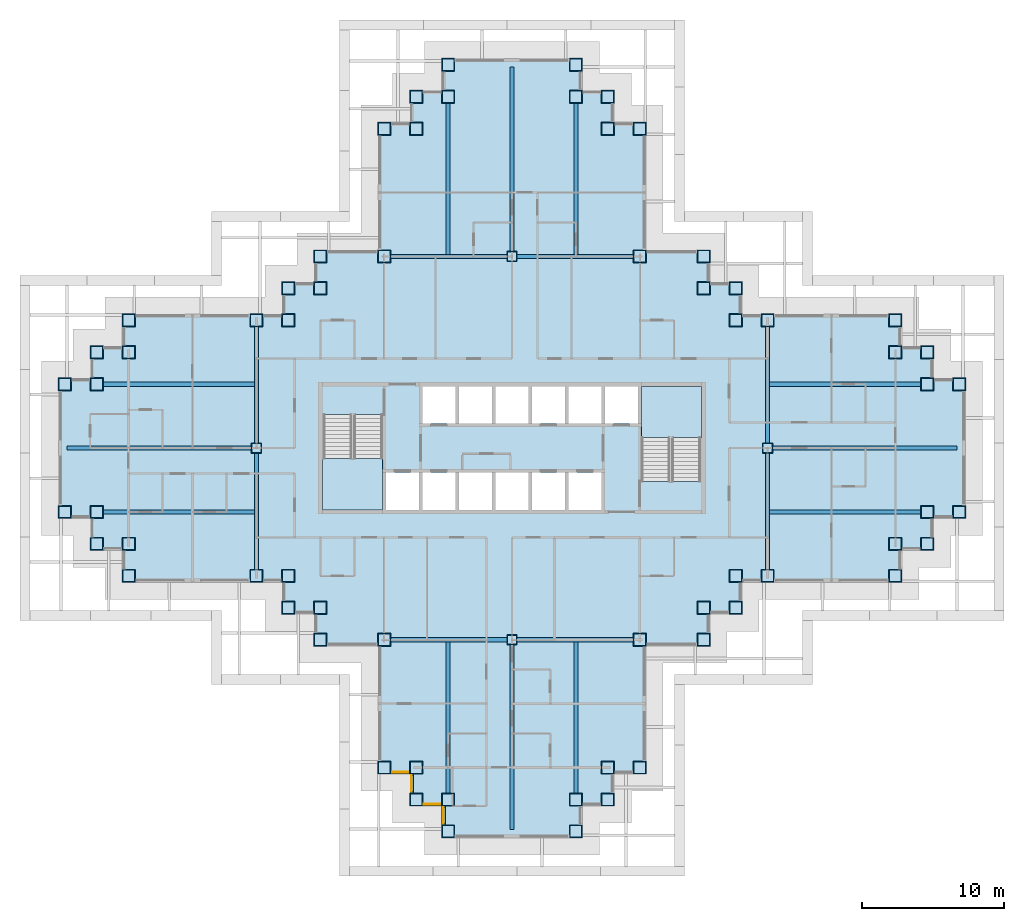
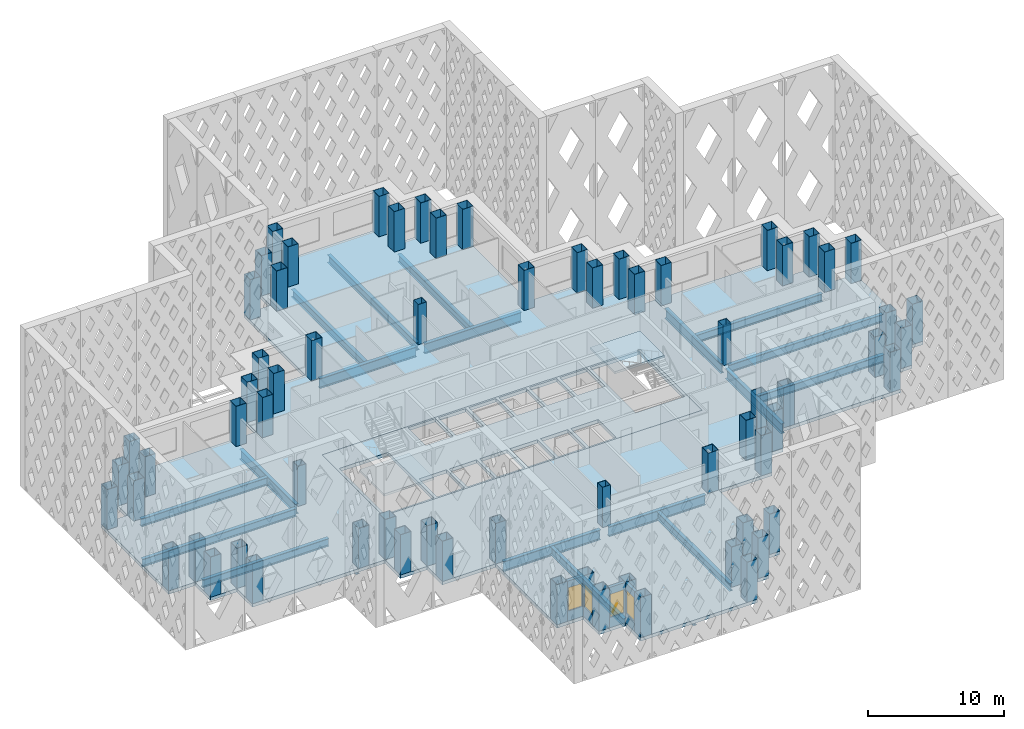
# One storey, part 1 of 21: 68 columns, 20 beams, 4 slabs, 4 walls, 4 windows, 4 openings, 2 elements without a shape of their own.
"""IFC4 building model written with IfcOpenShell, lengths in metres."""

from ifc_helpers import new_model, si_unit, direction, frame, frame_2d, origin, origin_2d, place, context, subcontext, project, spatial, polyline, rectangle, hollow_rectangle, i_section, outline, extrude, material, layer, layer_set, material_profile, profile_set, type_object, element, fill, aggregate, save


model = new_model("IFC4")

# Units and contexts
model_context = context("Model", 3, precision=1e-05, world=origin(), true_north=direction((0.0, 1.0)))
body_context = subcontext(model_context, "Body", "Model", "MODEL_VIEW")
ifc_project = project(units=[si_unit("LENGTHUNIT", "METRE"), si_unit("AREAUNIT", "SQUARE_METRE"), si_unit("VOLUMEUNIT", "CUBIC_METRE"), si_unit("PLANEANGLEUNIT", "RADIAN"), si_unit("MASSUNIT", "GRAM", prefix="KILO")], contexts=[model_context])

# Site, building, storey
site_placement = place(None, origin())
site = spatial("IfcSite", under=ifc_project, at=site_placement, CompositionType="ELEMENT")
building_placement = place(site_placement, origin())
building = spatial("IfcBuilding", under=site, at=building_placement, Name="Caravel Reach Hotel and Residences", CompositionType="ELEMENT")
storey_placement = place(building_placement, frame((0.0, 0.0, 100.800048828125)))
storey = spatial("IfcBuildingStorey", under=building, at=storey_placement, Name="L24", CompositionType="ELEMENT", Elevation=100.800048828125)

# Columns
ifc_material_1 = material(Name="Concrete-filled steel tube Q390B with Concrete C70 infill", Category="concrete")
ifc_material_profile_1 = material_profile(ifc_material_1, hollow_rectangle(XDim=0.699951171875, YDim=0.699951171875, WallThickness=0.02197265625, at=origin_2d()), Name="RHS 700x700x22")
ifc_profile_set_1 = profile_set([ifc_material_profile_1], Name="Concrete-filled steel tube Q390B with Concrete C70 infill")
column_type_1 = type_object("IfcColumnType", Name="CFT 700x700 Q390B C70", PredefinedType="COLUMN", material=ifc_profile_set_1)
for number, where, z_axis, x_axis, name in (
    (1, (31.5, 40.5, 0.0), (0.0, 0.0, 1.0), (1.0, 0.0, 0.0), "C6 column"),
    (2, (31.5, 13.5, 0.0), (0.0, 0.0, 1.0), (1.0, 0.0, 0.0), "C6 column"),
    (3, (13.5, 27.0, 0.0), (0.0, 0.0, 1.0), (1.0, 0.0, 0.0), "C6 column"),
    (4, (49.5, 27.0, 0.0), (0.0, 0.0, 1.0), (1.0, 0.0, 0.0), "C6 column"),
):
    element("IfcColumn", number, at=place(storey_placement, frame(where, z_axis=z_axis, x_axis=x_axis)), inside=storey, type_object=column_type_1, Name=name, PredefinedType="COLUMN", context=body_context, shape_type="SweptSolid", body=[
        extrude(hollow_rectangle(XDim=0.699951171875, YDim=0.699951171875, WallThickness=0.02197265625, at=origin_2d()), origin(), (0.0, 0.0, 1.0), 3.599853515625),
    ])
ifc_material_2 = material(Name="Concrete-filled steel tube Q390B with Concrete C70 infill", Category="concrete")
ifc_material_profile_2 = material_profile(ifc_material_2, hollow_rectangle(XDim=0.89990234375, YDim=0.89990234375, WallThickness=0.028076171875, at=origin_2d()), Name="RHS 900x900x28")
ifc_profile_set_2 = profile_set([ifc_material_profile_2], Name="Concrete-filled steel tube Q390B with Concrete C70 infill")
column_type_2 = type_object("IfcColumnType", Name="CFT 900x900 Q390B C70", PredefinedType="COLUMN", material=ifc_profile_set_2)
for number, where, z_axis, x_axis, name in (
    (5, (22.5, 4.5, 0.0), (0.0, 0.0, 1.0), (1.0, 0.0, 0.0), "C3 column"),
    (6, (24.75, 4.5, 0.0), (0.0, 0.0, 1.0), (1.0, 0.0, 0.0), "C3 column"),
    (7, (24.75, 2.25, 0.0), (0.0, 0.0, 1.0), (1.0, 0.0, 0.0), "C3 column"),
    (8, (27.0, 2.25, 0.0), (0.0, 0.0, 1.0), (1.0, 0.0, 0.0), "C3 column"),
    (9, (27.0, 0.0, 0.0), (0.0, 0.0, 1.0), (1.0, 0.0, 0.0), "C3 column"),
    (10, (36.0, 0.0, 0.0), (0.0, 0.0, 1.0), (1.0, 0.0, 0.0), "C3 column"),
    (11, (36.0, 2.25, 0.0), (0.0, 0.0, 1.0), (1.0, 0.0, 0.0), "C3 column"),
    (12, (38.25, 2.25, 0.0), (0.0, 0.0, 1.0), (1.0, 0.0, 0.0), "C3 column"),
    (13, (38.25, 4.5, 0.0), (0.0, 0.0, 1.0), (1.0, 0.0, 0.0), "C3 column"),
    (14, (40.5, 4.5, 0.0), (0.0, 0.0, 1.0), (1.0, 0.0, 0.0), "C3 column"),
    (15, (40.5, 13.5, 0.0), (0.0, 0.0, 1.0), (1.0, 0.0, 0.0), "C3 column"),
    (16, (45.0, 13.5, 0.0), (0.0, 0.0, 1.0), (1.0, 0.0, 0.0), "C3 column"),
    (17, (45.0, 15.75, 0.0), (0.0, 0.0, 1.0), (1.0, 0.0, 0.0), "C3 column"),
    (18, (47.25, 15.75, 0.0), (0.0, 0.0, 1.0), (1.0, 0.0, 0.0), "C3 column"),
    (19, (47.25, 18.0, 0.0), (0.0, 0.0, 1.0), (1.0, 0.0, 0.0), "C3 column"),
    (20, (49.5, 18.0, 0.0), (0.0, 0.0, 1.0), (1.0, 0.0, 0.0), "C3 column"),
    (21, (58.5, 18.0, 0.0), (0.0, 0.0, 1.0), (1.0, 0.0, 0.0), "C3 column"),
    (22, (58.5, 20.25, 0.0), (0.0, 0.0, 1.0), (1.0, 0.0, 0.0), "C3 column"),
    (23, (60.75, 20.25, 0.0), (0.0, 0.0, 1.0), (1.0, 0.0, 0.0), "C3 column"),
    (24, (60.75, 22.5, 0.0), (0.0, 0.0, 1.0), (1.0, 0.0, 0.0), "C3 column"),
    (25, (63.0, 22.5, 0.0), (0.0, 0.0, 1.0), (1.0, 0.0, 0.0), "C3 column"),
    (26, (63.0, 31.5, 0.0), (0.0, 0.0, 1.0), (1.0, 0.0, 0.0), "C3 column"),
    (27, (60.75, 31.5, 0.0), (0.0, 0.0, 1.0), (1.0, 0.0, 0.0), "C3 column"),
    (28, (60.75, 33.75, 0.0), (0.0, 0.0, 1.0), (1.0, 0.0, 0.0), "C3 column"),
    (29, (58.5, 33.75, 0.0), (0.0, 0.0, 1.0), (1.0, 0.0, 0.0), "C3 column"),
    (30, (58.5, 36.0, 0.0), (0.0, 0.0, 1.0), (1.0, 0.0, 0.0), "C3 column"),
    (31, (49.5, 36.0, 0.0), (0.0, 0.0, 1.0), (1.0, 0.0, 0.0), "C3 column"),
    (32, (47.25, 36.0, 0.0), (0.0, 0.0, 1.0), (1.0, 0.0, 0.0), "C3 column"),
    (33, (47.25, 38.25, 0.0), (0.0, 0.0, 1.0), (1.0, 0.0, 0.0), "C3 column"),
    (34, (45.0, 38.25, 0.0), (0.0, 0.0, 1.0), (1.0, 0.0, 0.0), "C3 column"),
    (35, (45.0, 40.5, 0.0), (0.0, 0.0, 1.0), (1.0, 0.0, 0.0), "C3 column"),
    (36, (40.5, 40.5, 0.0), (0.0, 0.0, 1.0), (1.0, 0.0, 0.0), "C3 column"),
    (37, (40.5, 49.5, 0.0), (0.0, 0.0, 1.0), (1.0, 0.0, 0.0), "C3 column"),
    (38, (38.25, 49.5, 0.0), (0.0, 0.0, 1.0), (1.0, 0.0, 0.0), "C3 column"),
    (39, (38.25, 51.75, 0.0), (0.0, 0.0, 1.0), (1.0, 0.0, 0.0), "C3 column"),
    (40, (36.0, 51.75, 0.0), (0.0, 0.0, 1.0), (1.0, 0.0, 0.0), "C3 column"),
    (41, (36.0, 54.0, 0.0), (0.0, 0.0, 1.0), (1.0, 0.0, 0.0), "C3 column"),
    (42, (27.0, 54.0, 0.0), (0.0, 0.0, 1.0), (1.0, 0.0, 0.0), "C3 column"),
    (43, (27.0, 51.75, 0.0), (0.0, 0.0, 1.0), (1.0, 0.0, 0.0), "C3 column"),
    (44, (24.75, 51.75, 0.0), (0.0, 0.0, 1.0), (1.0, 0.0, 0.0), "C3 column"),
    (45, (24.75, 49.5, 0.0), (0.0, 0.0, 1.0), (1.0, 0.0, 0.0), "C3 column"),
    (46, (22.5, 49.5, 0.0), (0.0, 0.0, 1.0), (1.0, 0.0, 0.0), "C3 column"),
    (47, (22.5, 40.5, 0.0), (0.0, 0.0, 1.0), (1.0, 0.0, 0.0), "C3 column"),
    (48, (18.0, 40.5, 0.0), (0.0, 0.0, 1.0), (1.0, 0.0, 0.0), "C3 column"),
    (49, (18.0, 38.25, 0.0), (0.0, 0.0, 1.0), (1.0, 0.0, 0.0), "C3 column"),
    (50, (15.75, 38.25, 0.0), (0.0, 0.0, 1.0), (1.0, 0.0, 0.0), "C3 column"),
    (51, (15.75, 36.0, 0.0), (0.0, 0.0, 1.0), (1.0, 0.0, 0.0), "C3 column"),
    (52, (13.5, 36.0, 0.0), (0.0, 0.0, 1.0), (1.0, 0.0, 0.0), "C3 column"),
    (53, (4.5, 36.0, 0.0), (0.0, 0.0, 1.0), (1.0, 0.0, 0.0), "C3 column"),
    (54, (4.5, 33.75, 0.0), (0.0, 0.0, 1.0), (1.0, 0.0, 0.0), "C3 column"),
    (55, (2.25, 33.75, 0.0), (0.0, 0.0, 1.0), (1.0, 0.0, 0.0), "C3 column"),
    (56, (2.25, 31.5, 0.0), (0.0, 0.0, 1.0), (1.0, 0.0, 0.0), "C3 column"),
    (57, (0.0, 31.5, 0.0), (0.0, 0.0, 1.0), (1.0, 0.0, 0.0), "C3 column"),
    (58, (0.0, 22.5, 0.0), (0.0, 0.0, 1.0), (1.0, 0.0, 0.0), "C3 column"),
    (59, (2.25, 22.5, 0.0), (0.0, 0.0, 1.0), (1.0, 0.0, 0.0), "C3 column"),
    (60, (2.25, 20.25, 0.0), (0.0, 0.0, 1.0), (1.0, 0.0, 0.0), "C3 column"),
    (61, (4.5, 20.25, 0.0), (0.0, 0.0, 1.0), (1.0, 0.0, 0.0), "C3 column"),
    (62, (4.5, 18.0, 0.0), (0.0, 0.0, 1.0), (1.0, 0.0, 0.0), "C3 column"),
    (63, (13.5, 18.0, 0.0), (0.0, 0.0, 1.0), (1.0, 0.0, 0.0), "C3 column"),
    (64, (15.75, 18.0, 0.0), (0.0, 0.0, 1.0), (1.0, 0.0, 0.0), "C3 column"),
    (65, (15.75, 15.75, 0.0), (0.0, 0.0, 1.0), (1.0, 0.0, 0.0), "C3 column"),
    (66, (18.0, 15.75, 0.0), (0.0, 0.0, 1.0), (1.0, 0.0, 0.0), "C3 column"),
    (67, (18.0, 13.5, 0.0), (0.0, 0.0, 1.0), (1.0, 0.0, 0.0), "C3 column"),
    (68, (22.5, 13.5, 0.0), (0.0, 0.0, 1.0), (1.0, 0.0, 0.0), "C3 column"),
):
    element("IfcColumn", number, at=place(storey_placement, frame(where, z_axis=z_axis, x_axis=x_axis)), inside=storey, type_object=column_type_2, Name=name, PredefinedType="COLUMN", context=body_context, shape_type="SweptSolid", body=[
        extrude(hollow_rectangle(XDim=0.89990234375, YDim=0.89990234375, WallThickness=0.028076171875, at=origin_2d()), origin(), (0.0, 0.0, 1.0), 3.599853515625),
    ])

# Beams
ifc_material_3 = material(Name="Structural steel Q355B", Category="steel")
ifc_material_profile_3 = material_profile(ifc_material_3, i_section(OverallWidth=0.300048828125, OverallDepth=0.699951171875, WebThickness=0.012939453125, FlangeThickness=0.02392578125, FilletRadius=0.01806640625, at=origin_2d()), Name="HN 700x300x13x24")
ifc_profile_set_3 = profile_set([ifc_material_profile_3], Name="Structural steel Q355B")
beam_type_1 = type_object("IfcBeamType", Name="Beam HN 700x300x13x24", PredefinedType="BEAM", material=ifc_profile_set_3)
beam_1_placement = place(storey_placement, frame((27.0, 40.64990234375, -0.650146484375), z_axis=(0.0, 1.0, 0.0), x_axis=(-1.0, 0.0, 0.0)))
element("IfcBeam", 69, at=beam_1_placement, inside=storey, type_object=beam_type_1, Name="B2 HN 700x300x13x24", PredefinedType="BEAM", context=body_context, shape_type="SweptSolid", body=[
    extrude(i_section(OverallWidth=0.300048828125, OverallDepth=0.699951171875, WebThickness=0.012939453125, FlangeThickness=0.02392578125, FilletRadius=0.01806640625, at=origin_2d()), origin(), (0.0, 0.0, 1.0), 10.7001953125),
])
beam_2_placement = place(storey_placement, frame((31.5, 40.800048828125, -0.650146484375), z_axis=(0.0, 1.0, 0.0), x_axis=(-1.0, 0.0, 0.0)))
element("IfcBeam", 70, at=beam_2_placement, inside=storey, type_object=beam_type_1, Name="B2 HN 700x300x13x24", PredefinedType="BEAM", context=body_context, shape_type="SweptSolid", body=[
    extrude(i_section(OverallWidth=0.300048828125, OverallDepth=0.699951171875, WebThickness=0.012939453125, FlangeThickness=0.02392578125, FilletRadius=0.01806640625, at=origin_2d()), origin(), (0.0, 0.0, 1.0), 13.050048828125),
])
for number, where, z_axis, x_axis, name in (
    (71, (36.0, 40.64990234375, -0.650146484375), (0.0, 1.0, 0.0), (-1.0, 0.0, 0.0), "B2 HN 700x300x13x24"),
    (72, (27.0, 13.35009765625, -0.650146484375), (0.0, -1.0, 0.0), (1.0, 0.0, 0.0), "B2 HN 700x300x13x24"),
):
    element("IfcBeam", number, at=place(storey_placement, frame(where, z_axis=z_axis, x_axis=x_axis)), inside=storey, type_object=beam_type_1, Name=name, PredefinedType="BEAM", context=body_context, shape_type="SweptSolid", body=[
        extrude(i_section(OverallWidth=0.300048828125, OverallDepth=0.699951171875, WebThickness=0.012939453125, FlangeThickness=0.02392578125, FilletRadius=0.01806640625, at=origin_2d()), origin(), (0.0, 0.0, 1.0), 10.7001953125),
    ])
beam_3_placement = place(storey_placement, frame((31.5, 13.199951171875, -0.650146484375), z_axis=(0.0, -1.0, 0.0), x_axis=(1.0, 0.0, 0.0)))
element("IfcBeam", 73, at=beam_3_placement, inside=storey, type_object=beam_type_1, Name="B2 HN 700x300x13x24", PredefinedType="BEAM", context=body_context, shape_type="SweptSolid", body=[
    extrude(i_section(OverallWidth=0.300048828125, OverallDepth=0.699951171875, WebThickness=0.012939453125, FlangeThickness=0.02392578125, FilletRadius=0.01806640625, at=origin_2d()), origin(), (0.0, 0.0, 1.0), 13.050048828125),
])
for number, where, z_axis, x_axis, name in (
    (74, (36.0, 13.35009765625, -0.650146484375), (0.0, -1.0, 0.0), (1.0, 0.0, 0.0), "B2 HN 700x300x13x24"),
    (75, (49.64990234375, 22.5, -0.650146484375), (1.0, 0.0, 0.0), (0.0, 1.0, 0.0), "B2 HN 700x300x13x24"),
):
    element("IfcBeam", number, at=place(storey_placement, frame(where, z_axis=z_axis, x_axis=x_axis)), inside=storey, type_object=beam_type_1, Name=name, PredefinedType="BEAM", context=body_context, shape_type="SweptSolid", body=[
        extrude(i_section(OverallWidth=0.300048828125, OverallDepth=0.699951171875, WebThickness=0.012939453125, FlangeThickness=0.02392578125, FilletRadius=0.01806640625, at=origin_2d()), origin(), (0.0, 0.0, 1.0), 10.7001953125),
    ])
beam_4_placement = place(storey_placement, frame((49.800048828125, 27.0, -0.650146484375), z_axis=(1.0, 0.0, 0.0), x_axis=(0.0, 1.0, 0.0)))
element("IfcBeam", 76, at=beam_4_placement, inside=storey, type_object=beam_type_1, Name="B2 HN 700x300x13x24", PredefinedType="BEAM", context=body_context, shape_type="SweptSolid", body=[
    extrude(i_section(OverallWidth=0.300048828125, OverallDepth=0.699951171875, WebThickness=0.012939453125, FlangeThickness=0.02392578125, FilletRadius=0.01806640625, at=origin_2d()), origin(), (0.0, 0.0, 1.0), 13.050048828125),
])
for number, where, z_axis, x_axis, name in (
    (77, (49.64990234375, 31.5, -0.650146484375), (1.0, 0.0, 0.0), (0.0, 1.0, 0.0), "B2 HN 700x300x13x24"),
    (78, (13.35009765625, 22.5, -0.650146484375), (-1.0, 0.0, 0.0), (0.0, -1.0, 0.0), "B2 HN 700x300x13x24"),
):
    element("IfcBeam", number, at=place(storey_placement, frame(where, z_axis=z_axis, x_axis=x_axis)), inside=storey, type_object=beam_type_1, Name=name, PredefinedType="BEAM", context=body_context, shape_type="SweptSolid", body=[
        extrude(i_section(OverallWidth=0.300048828125, OverallDepth=0.699951171875, WebThickness=0.012939453125, FlangeThickness=0.02392578125, FilletRadius=0.01806640625, at=origin_2d()), origin(), (0.0, 0.0, 1.0), 10.7001953125),
    ])
beam_5_placement = place(storey_placement, frame((13.199951171875, 27.0, -0.650146484375), z_axis=(-1.0, 0.0, 0.0), x_axis=(0.0, -1.0, 0.0)))
element("IfcBeam", 79, at=beam_5_placement, inside=storey, type_object=beam_type_1, Name="B2 HN 700x300x13x24", PredefinedType="BEAM", context=body_context, shape_type="SweptSolid", body=[
    extrude(i_section(OverallWidth=0.300048828125, OverallDepth=0.699951171875, WebThickness=0.012939453125, FlangeThickness=0.02392578125, FilletRadius=0.01806640625, at=origin_2d()), origin(), (0.0, 0.0, 1.0), 13.050048828125),
])
beam_6_placement = place(storey_placement, frame((13.35009765625, 31.5, -0.650146484375), z_axis=(-1.0, 0.0, 0.0), x_axis=(0.0, -1.0, 0.0)))
element("IfcBeam", 80, at=beam_6_placement, inside=storey, type_object=beam_type_1, Name="B2 HN 700x300x13x24", PredefinedType="BEAM", context=body_context, shape_type="SweptSolid", body=[
    extrude(i_section(OverallWidth=0.300048828125, OverallDepth=0.699951171875, WebThickness=0.012939453125, FlangeThickness=0.02392578125, FilletRadius=0.01806640625, at=origin_2d()), origin(), (0.0, 0.0, 1.0), 10.7001953125),
])
ifc_material_4 = material(Name="Structural steel Q355B", Category="steel")
ifc_material_profile_4 = material_profile(ifc_material_4, i_section(OverallWidth=0.300048828125, OverallDepth=0.89990234375, WebThickness=0.01611328125, FlangeThickness=0.028076171875, FilletRadius=0.01806640625, at=origin_2d()), Name="HN 900x300x16x28")
ifc_profile_set_4 = profile_set([ifc_material_profile_4], Name="Structural steel Q355B")
beam_type_2 = type_object("IfcBeamType", Name="Beam HN 900x300x16x28", PredefinedType="BEAM", material=ifc_profile_set_4)
for number, where, z_axis, x_axis, name in (
    (81, (22.949951171875, 40.5, -0.75), (1.0, 0.0, 0.0), (0.0, 1.0, 0.0), "B3 HN 900x300x16x28"),
    (82, (31.85009765625, 40.5, -0.75), (1.0, 0.0, 0.0), (0.0, 1.0, 0.0), "B3 HN 900x300x16x28"),
    (83, (22.949951171875, 13.5, -0.75), (1.0, 0.0, 0.0), (0.0, 1.0, 0.0), "B3 HN 900x300x16x28"),
    (84, (31.85009765625, 13.5, -0.75), (1.0, 0.0, 0.0), (0.0, 1.0, 0.0), "B3 HN 900x300x16x28"),
    (85, (13.5, 18.449951171875, -0.75), (0.0, 1.0, 0.0), (-1.0, 0.0, 0.0), "B3 HN 900x300x16x28"),
    (86, (13.5, 27.35009765625, -0.75), (0.0, 1.0, 0.0), (-1.0, 0.0, 0.0), "B3 HN 900x300x16x28"),
    (87, (49.5, 18.449951171875, -0.75), (0.0, 1.0, 0.0), (-1.0, 0.0, 0.0), "B3 HN 900x300x16x28"),
    (88, (49.5, 27.35009765625, -0.75), (0.0, 1.0, 0.0), (-1.0, 0.0, 0.0), "B3 HN 900x300x16x28"),
):
    element("IfcBeam", number, at=place(storey_placement, frame(where, z_axis=z_axis, x_axis=x_axis)), inside=storey, type_object=beam_type_2, Name=name, PredefinedType="BEAM", context=body_context, shape_type="SweptSolid", body=[
        extrude(i_section(OverallWidth=0.300048828125, OverallDepth=0.89990234375, WebThickness=0.01611328125, FlangeThickness=0.028076171875, FilletRadius=0.01806640625, at=origin_2d()), origin(), (0.0, 0.0, 1.0), 8.199951171875),
    ])

# Slab
ifc_material_5 = material(Name="Concrete C40", Category="concrete")
ifc_layer_1 = layer(ifc_material_5, 0.300048828125)
ifc_layer_set_1 = layer_set([ifc_layer_1], Name="Core floor slab 300 mm")
slab_type_1 = type_object("IfcSlabType", Name="Core floor slab 300 mm", PredefinedType="FLOOR", material=ifc_layer_set_1)
slab_1_placement = place(storey_placement, frame((0.0, 0.0, -0.300048828125)))
element("IfcSlab", 89, at=slab_1_placement, inside=storey, type_object=slab_type_1, Name="L24 core floor", PredefinedType="FLOOR", context=body_context, shape_type="SweptSolid", body=[
    extrude(outline(polyline([(18.0, 31.5), (45.0, 31.5), (45.0, 22.5), (18.0, 22.5), (18.0, 31.5)]), holes=[polyline([(22.625, 25.27490234375), (22.625, 22.64990234375), (24.9462890625, 22.64990234375), (24.9462890625, 25.27490234375), (22.625, 25.27490234375)]), polyline([(27.517822265625, 25.27490234375), (25.1962890625, 25.27490234375), (25.1962890625, 22.64990234375), (27.517822265625, 22.64990234375), (27.517822265625, 25.27490234375)]), polyline([(30.08935546875, 25.27490234375), (27.767822265625, 25.27490234375), (27.767822265625, 22.64990234375), (30.08935546875, 22.64990234375), (30.08935546875, 25.27490234375)]), polyline([(32.66064453125, 25.27490234375), (30.33935546875, 25.27490234375), (30.33935546875, 22.64990234375), (32.66064453125, 22.64990234375), (32.66064453125, 25.27490234375)]), polyline([(18.22509765625, 22.64990234375), (22.375, 22.64990234375), (22.375, 29.35009765625), (18.22509765625, 29.35009765625), (18.22509765625, 22.64990234375)]), polyline([(27.517822265625, 31.35009765625), (25.1962890625, 31.35009765625), (25.1962890625, 28.72509765625), (27.517822265625, 28.72509765625), (27.517822265625, 31.35009765625)]), polyline([(30.08935546875, 31.35009765625), (27.767822265625, 31.35009765625), (27.767822265625, 28.72509765625), (30.08935546875, 28.72509765625), (30.08935546875, 31.35009765625)]), polyline([(32.91064453125, 25.27490234375), (32.91064453125, 22.64990234375), (35.232177734375, 22.64990234375), (35.232177734375, 25.27490234375), (32.91064453125, 25.27490234375)]), polyline([(37.8037109375, 25.27490234375), (35.482177734375, 25.27490234375), (35.482177734375, 22.64990234375), (37.8037109375, 22.64990234375), (37.8037109375, 25.27490234375)]), polyline([(44.77490234375, 31.35009765625), (40.625, 31.35009765625), (40.625, 24.64990234375), (44.77490234375, 24.64990234375), (44.77490234375, 31.35009765625)]), polyline([(32.66064453125, 31.35009765625), (30.33935546875, 31.35009765625), (30.33935546875, 28.72509765625), (32.66064453125, 28.72509765625), (32.66064453125, 31.35009765625)]), polyline([(35.232177734375, 31.35009765625), (32.91064453125, 31.35009765625), (32.91064453125, 28.72509765625), (35.232177734375, 28.72509765625), (35.232177734375, 31.35009765625)]), polyline([(37.8037109375, 31.35009765625), (35.482177734375, 31.35009765625), (35.482177734375, 28.72509765625), (37.8037109375, 28.72509765625), (37.8037109375, 31.35009765625)]), polyline([(40.375, 31.35009765625), (38.0537109375, 31.35009765625), (38.0537109375, 28.72509765625), (40.375, 28.72509765625), (40.375, 31.35009765625)])]), origin(), (0.0, 0.0, 1.0), 0.300048828125),
])

# Stair, slab
ifc_material_6 = material(Name="Concrete C40", Category="concrete")
stair_type = type_object("IfcStairType", Name="Core stair", PredefinedType="HALF_TURN_STAIR", material=ifc_material_6)
stair_1_placement = place(storey_placement, origin())
stair_1 = element("IfcStair", 90, at=stair_1_placement, inside=storey, type_object=stair_type, Name="L24 Exit stair A", PredefinedType="HALF_TURN_STAIR")
ifc_material_7 = material(Name="Concrete C40", Category="concrete")
ifc_layer_2 = layer(ifc_material_7, 0.199951171875)
ifc_layer_set_2 = layer_set([ifc_layer_2], Name="Core stair landing")
slab_type_2 = type_object("IfcSlabType", Name="Core stair landing", PredefinedType="LANDING", material=ifc_layer_set_2)
slab_2_placement = place(storey_placement, frame((0.0, 0.0, 1.599853515625)))
slab_2 = element("IfcSlab", 91, at=slab_2_placement, type_object=slab_type_2, Name="ST-A landing 1", PredefinedType="LANDING", context=body_context, shape_type="SweptSolid", body=[
    extrude(outline(polyline([(18.14990234375, 26.27001953125), (18.14990234375, 22.64990234375), (22.375, 22.64990234375), (22.375, 26.27001953125), (18.14990234375, 26.27001953125)])), origin(), (0.0, 0.0, 1.0), 0.2001953125),
])
aggregate(stair_1, [slab_2])

stair_2_placement = place(storey_placement, origin())
stair_2 = element("IfcStair", 92, at=stair_2_placement, inside=storey, type_object=stair_type, Name="L24 Exit stair B", PredefinedType="HALF_TURN_STAIR")
slab_3_placement = place(storey_placement, frame((0.0, 0.0, 1.599853515625)))
slab_3 = element("IfcSlab", 93, at=slab_3_placement, type_object=slab_type_2, Name="ST-B landing 1", PredefinedType="LANDING", context=body_context, shape_type="SweptSolid", body=[
    extrude(outline(polyline([(44.85009765625, 27.72998046875), (44.85009765625, 31.35009765625), (40.625, 31.35009765625), (40.625, 27.72998046875), (44.85009765625, 27.72998046875)])), origin(), (0.0, 0.0, 1.0), 0.2001953125),
])
aggregate(stair_2, [slab_3])

# Slab
ifc_material_8 = material(Name="Concrete C40 post-tensioned", Category="concrete")
ifc_layer_3 = layer(ifc_material_8, 0.300048828125)
ifc_layer_set_3 = layer_set([ifc_layer_3], Name="Floor slab 300")
slab_type_3 = type_object("IfcSlabType", Name="Floor slab 300", PredefinedType="FLOOR", material=ifc_layer_set_3)
slab_4_placement = place(storey_placement, frame((0.0, 0.0, -0.300048828125)))
element("IfcSlab", 94, at=slab_4_placement, inside=storey, type_object=slab_type_3, Name="S2 slab L24", PredefinedType="FLOOR", context=body_context, shape_type="SweptSolid", body=[
    extrude(outline(polyline([(17.550048828125, 13.050048828125), (17.550048828125, 15.300048828125), (15.300048828125, 15.300048828125), (15.300048828125, 17.550048828125), (4.050048828125, 17.550048828125), (4.050048828125, 19.800048828125), (1.800048828125, 19.800048828125), (1.800048828125, 22.050048828125), (-0.449951171875, 22.050048828125), (-0.449951171875, 31.949951171875), (1.800048828125, 31.949951171875), (1.800048828125, 34.199951171875), (4.050048828125, 34.199951171875), (4.050048828125, 36.449951171875), (15.300048828125, 36.449951171875), (15.300048828125, 38.699951171875), (17.550048828125, 38.699951171875), (17.550048828125, 40.949951171875), (22.050048828125, 40.949951171875), (22.050048828125, 49.949951171875), (24.300048828125, 49.949951171875), (24.300048828125, 52.199951171875), (26.550048828125, 52.199951171875), (26.550048828125, 54.449951171875), (36.449951171875, 54.449951171875), (36.449951171875, 52.199951171875), (38.699951171875, 52.199951171875), (38.699951171875, 49.949951171875), (40.949951171875, 49.949951171875), (40.949951171875, 40.949951171875), (45.449951171875, 40.949951171875), (45.449951171875, 38.699951171875), (47.699951171875, 38.699951171875), (47.699951171875, 36.449951171875), (58.949951171875, 36.449951171875), (58.949951171875, 34.199951171875), (61.199951171875, 34.199951171875), (61.199951171875, 31.949951171875), (63.449951171875, 31.949951171875), (63.449951171875, 22.050048828125), (61.199951171875, 22.050048828125), (61.199951171875, 19.800048828125), (58.949951171875, 19.800048828125), (58.949951171875, 17.550048828125), (47.699951171875, 17.550048828125), (47.699951171875, 15.300048828125), (45.449951171875, 15.300048828125), (45.449951171875, 13.050048828125), (40.949951171875, 13.050048828125), (40.949951171875, 4.050048828125), (38.699951171875, 4.050048828125), (38.699951171875, 1.800048828125), (36.449951171875, 1.800048828125), (36.449951171875, -0.449951171875), (26.550048828125, -0.449951171875), (26.550048828125, 1.800048828125), (24.300048828125, 1.800048828125), (24.300048828125, 4.050048828125), (22.050048828125, 4.050048828125), (22.050048828125, 13.050048828125), (17.550048828125, 13.050048828125)]), holes=[polyline([(45.0, 31.5), (18.0, 31.5), (18.0, 22.5), (45.0, 22.5), (45.0, 31.5)])]), origin(), (0.0, 0.0, 1.0), 0.300048828125),
])

# Wall, opening, window
ifc_material_9 = material(Name="Insulated rainscreen wall, aluminium cladding", Category="aluminium")
ifc_layer_4 = layer(ifc_material_9, 0.25)
ifc_layer_set_4 = layer_set([ifc_layer_4], Name="EW1 Tower rainscreen wall")
wall_type = type_object("IfcWallType", Name="EW1 Tower rainscreen wall", PredefinedType="SOLIDWALL", material=ifc_layer_set_4)
wall_1_placement = place(storey_placement, frame((22.949951171875, 4.175048828125, 0.0), z_axis=(0.0, 0.0, 1.0), x_axis=(1.0, 0.0, 0.0)))
wall_1 = element("IfcWall", 95, at=wall_1_placement, inside=storey, type_object=wall_type, Name="External wall L24 S1.1", PredefinedType="SOLIDWALL", context=body_context, shape_type="SweptSolid", body=[
    extrude(rectangle(XDim=1.35009765625, YDim=0.25, at=frame_2d((0.675048828125, 0.0))), origin(), (0.0, 0.0, 1.0), 3.599853515625),
])
opening_1_placement = place(wall_1_placement, frame((0.10009765625, 0.0, 0.89990234375)))
opening_1 = element("IfcOpeningElement", 96, at=opening_1_placement, cuts=wall_1, Name="Opening WN8", PredefinedType="OPENING", context=body_context, shape_type="SweptSolid", body=[
    extrude(rectangle(XDim=1.14990234375, YDim=2.080078125, at=frame_2d((0.574951171875, 1.0400390625))), frame((0.0, 0.135009765625, 0.0), z_axis=(0.0, -1.0, 0.0), x_axis=(1.0, 0.0, 0.0)), (0.0, 0.0, 1.0), 0.27001953125),
])
ifc_material_10 = material(Name="Dark low-e glazing in black aluminium frame", Category="aluminium")
window_type = type_object("IfcWindowType", Name="Hotel suite corner window 1150 x 2080", PartitioningType="SINGLE_PANEL", PredefinedType="WINDOW", material=ifc_material_10)
window_1_placement = place(opening_1_placement, origin())
window_1 = element("IfcWindow", 97, at=window_1_placement, inside=storey, type_object=window_type, Name="Window L24 S1.1.1", OverallHeight=2.080078125, OverallWidth=1.14990234375, PartitioningType="SINGLE_PANEL", PredefinedType="WINDOW", context=body_context, shape_type="SweptSolid", body=[
    extrude(rectangle(XDim=1.14990234375, YDim=2.080078125, at=frame_2d((0.574951171875, 1.0400390625))), frame((0.0, 0.030029296875, 0.0), z_axis=(0.0, -1.0, 0.0), x_axis=(1.0, 0.0, 0.0)), (0.0, 0.0, 1.0), 0.06005859375),
])
fill(opening_1, window_1)

wall_2_placement = place(storey_placement, frame((24.425048828125, 4.050048828125, 0.0), z_axis=(0.0, 0.0, 1.0), x_axis=(0.0, -1.0, 0.0)))
wall_2 = element("IfcWall", 98, at=wall_2_placement, inside=storey, type_object=wall_type, Name="External wall L24 W2.1", PredefinedType="SOLIDWALL", context=body_context, shape_type="SweptSolid", body=[
    extrude(rectangle(XDim=1.35009765625, YDim=0.25, at=frame_2d((0.675048828125, 0.0))), origin(), (0.0, 0.0, 1.0), 3.599853515625),
])
opening_2_placement = place(wall_2_placement, frame((0.10009765625, 0.0, 0.89990234375)))
opening_2 = element("IfcOpeningElement", 99, at=opening_2_placement, cuts=wall_2, Name="Opening WN8", PredefinedType="OPENING", context=body_context, shape_type="SweptSolid", body=[
    extrude(rectangle(XDim=1.14990234375, YDim=2.080078125, at=frame_2d((0.574951171875, 1.0400390625))), frame((0.0, 0.135009765625, 0.0), z_axis=(0.0, -1.0, 0.0), x_axis=(1.0, 0.0, 0.0)), (0.0, 0.0, 1.0), 0.27001953125),
])
window_2_placement = place(opening_2_placement, origin())
window_2 = element("IfcWindow", 100, at=window_2_placement, inside=storey, type_object=window_type, Name="Window L24 W2.1.1", OverallHeight=2.080078125, OverallWidth=1.14990234375, PartitioningType="SINGLE_PANEL", PredefinedType="WINDOW", context=body_context, shape_type="SweptSolid", body=[
    extrude(rectangle(XDim=1.14990234375, YDim=2.080078125, at=frame_2d((0.574951171875, 1.0400390625))), frame((0.0, 0.030029296875, 0.0), z_axis=(0.0, -1.0, 0.0), x_axis=(1.0, 0.0, 0.0)), (0.0, 0.0, 1.0), 0.06005859375),
])
fill(opening_2, window_2)

wall_3_placement = place(storey_placement, frame((25.199951171875, 1.925048828125, 0.0), z_axis=(0.0, 0.0, 1.0), x_axis=(1.0, 0.0, 0.0)))
wall_3 = element("IfcWall", 101, at=wall_3_placement, inside=storey, type_object=wall_type, Name="External wall L24 S3.1", PredefinedType="SOLIDWALL", context=body_context, shape_type="SweptSolid", body=[
    extrude(rectangle(XDim=1.35009765625, YDim=0.25, at=frame_2d((0.675048828125, 0.0))), origin(), (0.0, 0.0, 1.0), 3.599853515625),
])
opening_3_placement = place(wall_3_placement, frame((0.10009765625, 0.0, 0.89990234375)))
opening_3 = element("IfcOpeningElement", 102, at=opening_3_placement, cuts=wall_3, Name="Opening WN8", PredefinedType="OPENING", context=body_context, shape_type="SweptSolid", body=[
    extrude(rectangle(XDim=1.14990234375, YDim=2.080078125, at=frame_2d((0.574951171875, 1.0400390625))), frame((0.0, 0.135009765625, 0.0), z_axis=(0.0, -1.0, 0.0), x_axis=(1.0, 0.0, 0.0)), (0.0, 0.0, 1.0), 0.27001953125),
])
window_3_placement = place(opening_3_placement, origin())
window_3 = element("IfcWindow", 103, at=window_3_placement, inside=storey, type_object=window_type, Name="Window L24 S3.1.1", OverallHeight=2.080078125, OverallWidth=1.14990234375, PartitioningType="SINGLE_PANEL", PredefinedType="WINDOW", context=body_context, shape_type="SweptSolid", body=[
    extrude(rectangle(XDim=1.14990234375, YDim=2.080078125, at=frame_2d((0.574951171875, 1.0400390625))), frame((0.0, 0.030029296875, 0.0), z_axis=(0.0, -1.0, 0.0), x_axis=(1.0, 0.0, 0.0)), (0.0, 0.0, 1.0), 0.06005859375),
])
fill(opening_3, window_3)

wall_4_placement = place(storey_placement, frame((26.675048828125, 1.800048828125, 0.0), z_axis=(0.0, 0.0, 1.0), x_axis=(0.0, -1.0, 0.0)))
wall_4 = element("IfcWall", 104, at=wall_4_placement, inside=storey, type_object=wall_type, Name="External wall L24 W4.1", PredefinedType="SOLIDWALL", context=body_context, shape_type="SweptSolid", body=[
    extrude(rectangle(XDim=1.35009765625, YDim=0.25, at=frame_2d((0.675048828125, 0.0))), origin(), (0.0, 0.0, 1.0), 3.599853515625),
])
opening_4_placement = place(wall_4_placement, frame((0.10009765625, 0.0, 0.89990234375)))
opening_4 = element("IfcOpeningElement", 105, at=opening_4_placement, cuts=wall_4, Name="Opening WN8", PredefinedType="OPENING", context=body_context, shape_type="SweptSolid", body=[
    extrude(rectangle(XDim=1.14990234375, YDim=2.080078125, at=frame_2d((0.574951171875, 1.0400390625))), frame((0.0, 0.135009765625, 0.0), z_axis=(0.0, -1.0, 0.0), x_axis=(1.0, 0.0, 0.0)), (0.0, 0.0, 1.0), 0.27001953125),
])
window_4_placement = place(opening_4_placement, origin())
window_4 = element("IfcWindow", 106, at=window_4_placement, inside=storey, type_object=window_type, Name="Window L24 W4.1.1", OverallHeight=2.080078125, OverallWidth=1.14990234375, PartitioningType="SINGLE_PANEL", PredefinedType="WINDOW", context=body_context, shape_type="SweptSolid", body=[
    extrude(rectangle(XDim=1.14990234375, YDim=2.080078125, at=frame_2d((0.574951171875, 1.0400390625))), frame((0.0, 0.030029296875, 0.0), z_axis=(0.0, -1.0, 0.0), x_axis=(1.0, 0.0, 0.0)), (0.0, 0.0, 1.0), 0.06005859375),
])
fill(opening_4, window_4)

save(model, "model.ifc")
